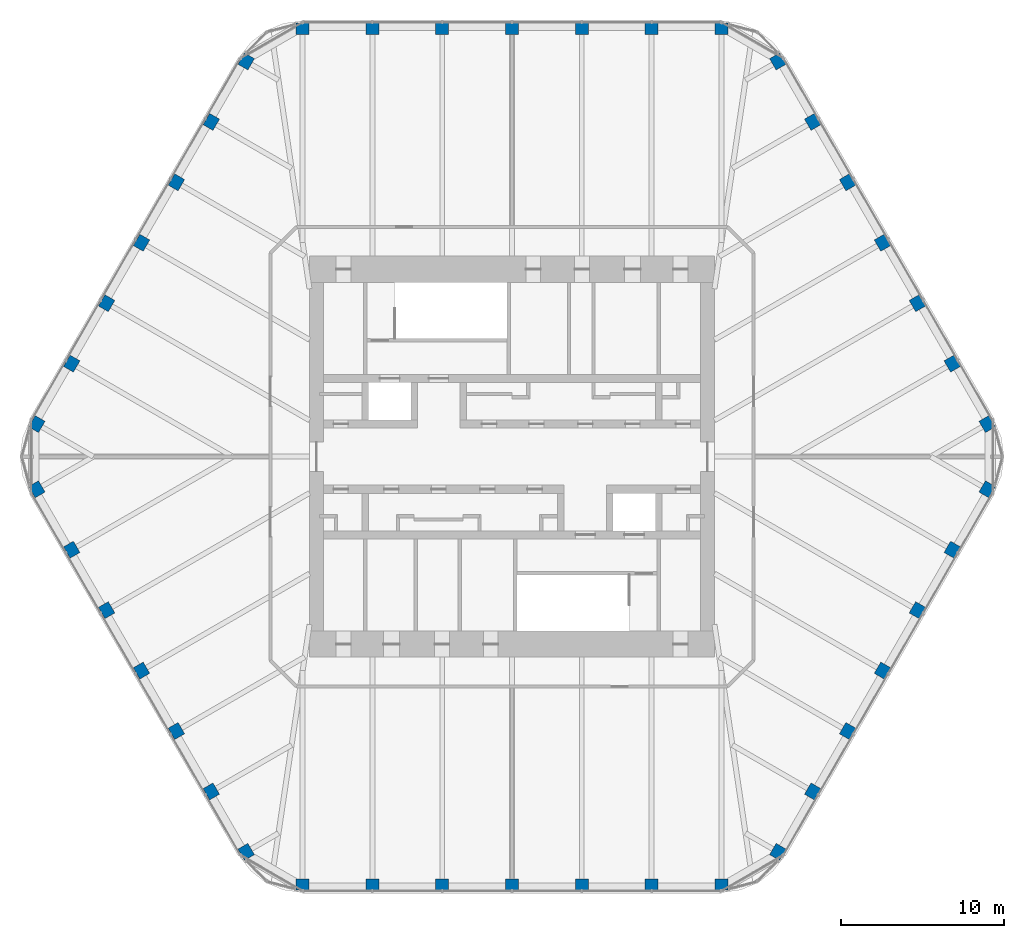
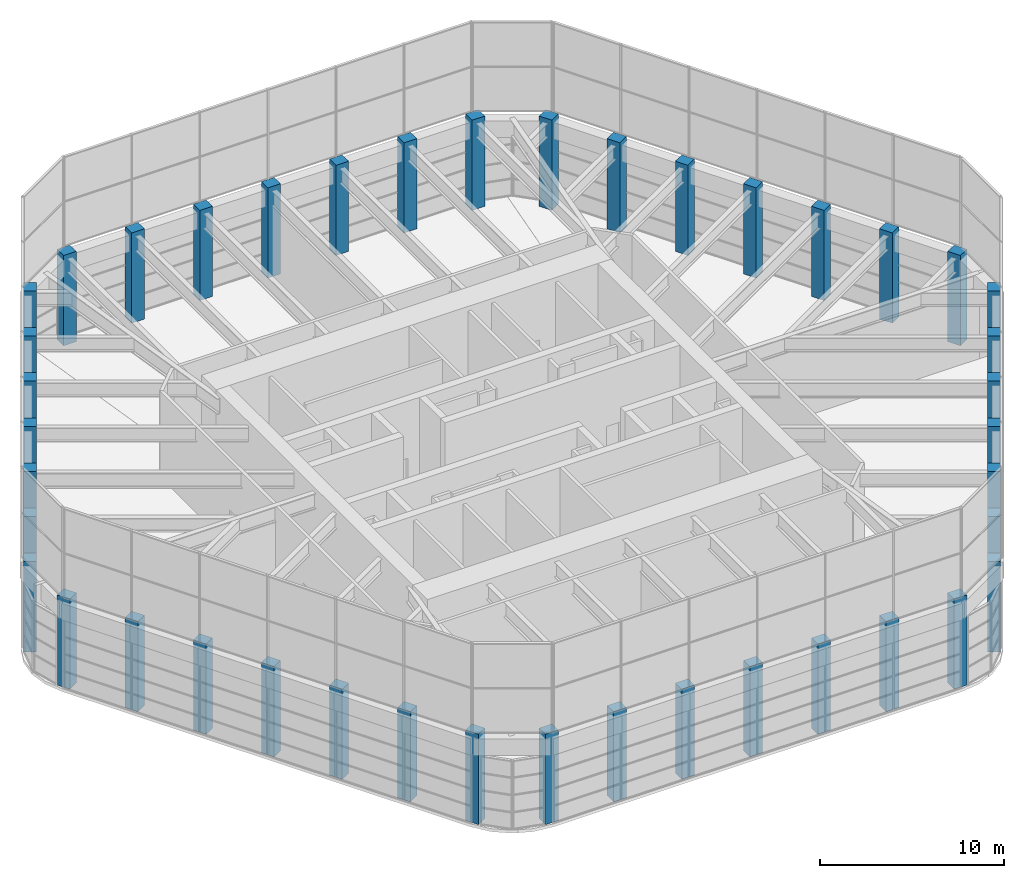
# One storey, part 1 of 17: 42 columns.
"""IFC4 building model written with IfcOpenShell, lengths in metres."""

from ifc_helpers import new_model, si_unit, direction, frame, origin, origin_2d, place, context, subcontext, project, spatial, rectangle, extrude, material, material_profile, profile_set, type_object, element, save


model = new_model("IFC4")

# Units and contexts
model_context = context("Model", 3, precision=1e-05, world=origin(), true_north=direction((0.0, 1.0)))
body_context = subcontext(model_context, "Body", "Model", "MODEL_VIEW")
ifc_project = project(units=[si_unit("LENGTHUNIT", "METRE"), si_unit("AREAUNIT", "SQUARE_METRE"), si_unit("VOLUMEUNIT", "CUBIC_METRE"), si_unit("PLANEANGLEUNIT", "RADIAN"), si_unit("MASSUNIT", "GRAM", prefix="KILO")], contexts=[model_context])

# Site, building, storey
site_placement = place(None, origin())
site = spatial("IfcSite", under=ifc_project, at=site_placement, CompositionType="ELEMENT")
building_placement = place(site_placement, origin())
building = spatial("IfcBuilding", under=site, at=building_placement, Name="Tarfa Lantern Tower", CompositionType="ELEMENT")
storey_placement = place(building_placement, frame((0.0, 0.0, 402.300048828125)))
storey = spatial("IfcBuildingStorey", under=building, at=storey_placement, Name="L91", CompositionType="ELEMENT", Elevation=402.300048828125)

# Columns
ifc_material = material(Name="Concrete C80/95", Category="concrete")
ifc_material_profile = material_profile(ifc_material, rectangle(XDim=0.800048828125, YDim=0.699951171875, at=origin_2d()), Name="RC 800x700")
ifc_profile_set = profile_set([ifc_material_profile], Name="Concrete C80/95")
column_type = type_object("IfcColumnType", Name="TC16 RC 800x700", PredefinedType="COLUMN", material=ifc_profile_set)
for number, where, z_axis, x_axis, name in (
    (1, (29.15625, 2.0, 0.0), (0.0, 0.0, 1.0), (-0.5, 0.866025403784, 0.0), "Tube column NE0"),
    (2, (27.01513671875, 5.708251953125, 0.0), (0.0, 0.0, 1.0), (-0.5, 0.866025403784, 0.0), "Tube column NE1"),
    (3, (24.874267578125, 9.416748046875, 0.0), (0.0, 0.0, 1.0), (-0.5, 0.866025403784, 0.0), "Tube column NE2"),
    (4, (22.733154296875, 13.125, 0.0), (0.0, 0.0, 1.0), (-0.5, 0.866025403784, 0.0), "Tube column NE3"),
    (5, (20.592041015625, 16.833251953125, 0.0), (0.0, 0.0, 1.0), (-0.5, 0.866025403784, 0.0), "Tube column NE4"),
    (6, (18.451171875, 20.541748046875, 0.0), (0.0, 0.0, 1.0), (-0.5, 0.866025403784, 0.0), "Tube column NE5"),
    (7, (16.31005859375, 24.25, 0.0), (0.0, 0.0, 1.0), (-0.5, 0.866025403784, 0.0), "Tube column NE6"),
    (8, (12.845947265625, 26.25, 0.0), (0.0, 0.0, 1.0), (-1.0, 0.0, 0.0), "Tube column N0"),
    (9, (8.56396484375, 26.25, 0.0), (0.0, 0.0, 1.0), (-1.0, 0.0, 0.0), "Tube column N1"),
    (10, (4.281982421875, 26.25, 0.0), (0.0, 0.0, 1.0), (-1.0, 0.0, 0.0), "Tube column N2"),
    (11, (0.0, 26.25, 0.0), (0.0, 0.0, 1.0), (-1.0, 0.0, 0.0), "Tube column N3"),
    (12, (-4.281982421875, 26.25, 0.0), (0.0, 0.0, 1.0), (-1.0, 0.0, 0.0), "Tube column N4"),
    (13, (-8.56396484375, 26.25, 0.0), (0.0, 0.0, 1.0), (-1.0, 0.0, 0.0), "Tube column N5"),
    (14, (-12.845947265625, 26.25, 0.0), (0.0, 0.0, 1.0), (-1.0, 0.0, 0.0), "Tube column N6"),
    (15, (-16.31005859375, 24.25, 0.0), (0.0, 0.0, 1.0), (-0.5, -0.866025403784, 0.0), "Tube column NW0"),
    (16, (-18.451171875, 20.541748046875, 0.0), (0.0, 0.0, 1.0), (-0.5, -0.866025403784, 0.0), "Tube column NW1"),
    (17, (-20.592041015625, 16.833251953125, 0.0), (0.0, 0.0, 1.0), (-0.5, -0.866025403784, 0.0), "Tube column NW2"),
    (18, (-22.733154296875, 13.125, 0.0), (0.0, 0.0, 1.0), (-0.5, -0.866025403784, 0.0), "Tube column NW3"),
    (19, (-24.874267578125, 9.416748046875, 0.0), (0.0, 0.0, 1.0), (-0.5, -0.866025403784, 0.0), "Tube column NW4"),
    (20, (-27.01513671875, 5.708251953125, 0.0), (0.0, 0.0, 1.0), (-0.5, -0.866025403784, 0.0), "Tube column NW5"),
    (21, (-29.15625, 2.0, 0.0), (0.0, 0.0, 1.0), (-0.5, -0.866025403784, 0.0), "Tube column NW6"),
    (22, (-29.15625, -2.0, 0.0), (0.0, 0.0, 1.0), (0.5, -0.866025403784, 0.0), "Tube column SW0"),
    (23, (-27.01513671875, -5.708251953125, 0.0), (0.0, 0.0, 1.0), (0.5, -0.866025403784, 0.0), "Tube column SW1"),
    (24, (-24.874267578125, -9.416748046875, 0.0), (0.0, 0.0, 1.0), (0.5, -0.866025403784, 0.0), "Tube column SW2"),
    (25, (-22.733154296875, -13.125, 0.0), (0.0, 0.0, 1.0), (0.5, -0.866025403784, 0.0), "Tube column SW3"),
    (26, (-20.592041015625, -16.833251953125, 0.0), (0.0, 0.0, 1.0), (0.5, -0.866025403784, 0.0), "Tube column SW4"),
    (27, (-18.451171875, -20.541748046875, 0.0), (0.0, 0.0, 1.0), (0.5, -0.866025403784, 0.0), "Tube column SW5"),
    (28, (-16.31005859375, -24.25, 0.0), (0.0, 0.0, 1.0), (0.5, -0.866025403784, 0.0), "Tube column SW6"),
    (29, (-12.845947265625, -26.25, 0.0), (0.0, 0.0, 1.0), (1.0, 0.0, 0.0), "Tube column S0"),
    (30, (-8.56396484375, -26.25, 0.0), (0.0, 0.0, 1.0), (1.0, 0.0, 0.0), "Tube column S1"),
    (31, (-4.281982421875, -26.25, 0.0), (0.0, 0.0, 1.0), (1.0, 0.0, 0.0), "Tube column S2"),
    (32, (0.0, -26.25, 0.0), (0.0, 0.0, 1.0), (1.0, 0.0, 0.0), "Tube column S3"),
    (33, (4.281982421875, -26.25, 0.0), (0.0, 0.0, 1.0), (1.0, 0.0, 0.0), "Tube column S4"),
    (34, (8.56396484375, -26.25, 0.0), (0.0, 0.0, 1.0), (1.0, 0.0, 0.0), "Tube column S5"),
    (35, (12.845947265625, -26.25, 0.0), (0.0, 0.0, 1.0), (1.0, 0.0, 0.0), "Tube column S6"),
    (36, (16.31005859375, -24.25, 0.0), (0.0, 0.0, 1.0), (0.5, 0.866025403784, 0.0), "Tube column SE0"),
    (37, (18.451171875, -20.541748046875, 0.0), (0.0, 0.0, 1.0), (0.5, 0.866025403784, 0.0), "Tube column SE1"),
    (38, (20.592041015625, -16.833251953125, 0.0), (0.0, 0.0, 1.0), (0.5, 0.866025403784, 0.0), "Tube column SE2"),
    (39, (22.733154296875, -13.125, 0.0), (0.0, 0.0, 1.0), (0.5, 0.866025403784, 0.0), "Tube column SE3"),
    (40, (24.874267578125, -9.416748046875, 0.0), (0.0, 0.0, 1.0), (0.5, 0.866025403784, 0.0), "Tube column SE4"),
    (41, (27.01513671875, -5.708251953125, 0.0), (0.0, 0.0, 1.0), (0.5, 0.866025403784, 0.0), "Tube column SE5"),
    (42, (29.15625, -2.0, 0.0), (0.0, 0.0, 1.0), (0.5, 0.866025403784, 0.0), "Tube column SE6"),
):
    element("IfcColumn", number, at=place(storey_placement, frame(where, z_axis=z_axis, x_axis=x_axis)), inside=storey, type_object=column_type, Name=name, PredefinedType="COLUMN", context=body_context, shape_type="SweptSolid", body=[
        extrude(rectangle(XDim=0.800048828125, YDim=0.699951171875, at=origin_2d()), origin(), (0.0, 0.0, 1.0), 6.0),
    ])

save(model, "model.ifc")
